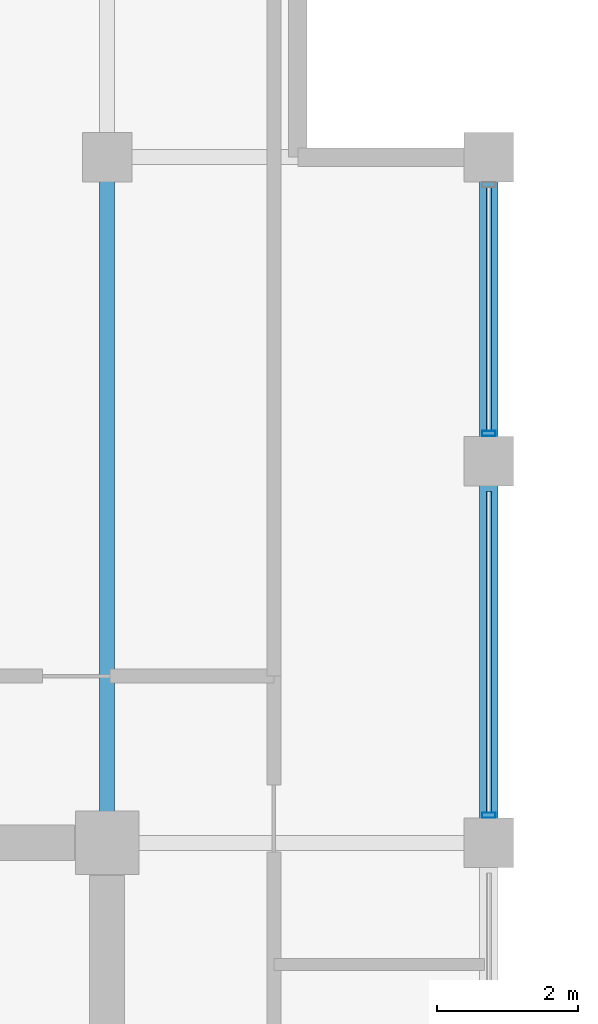
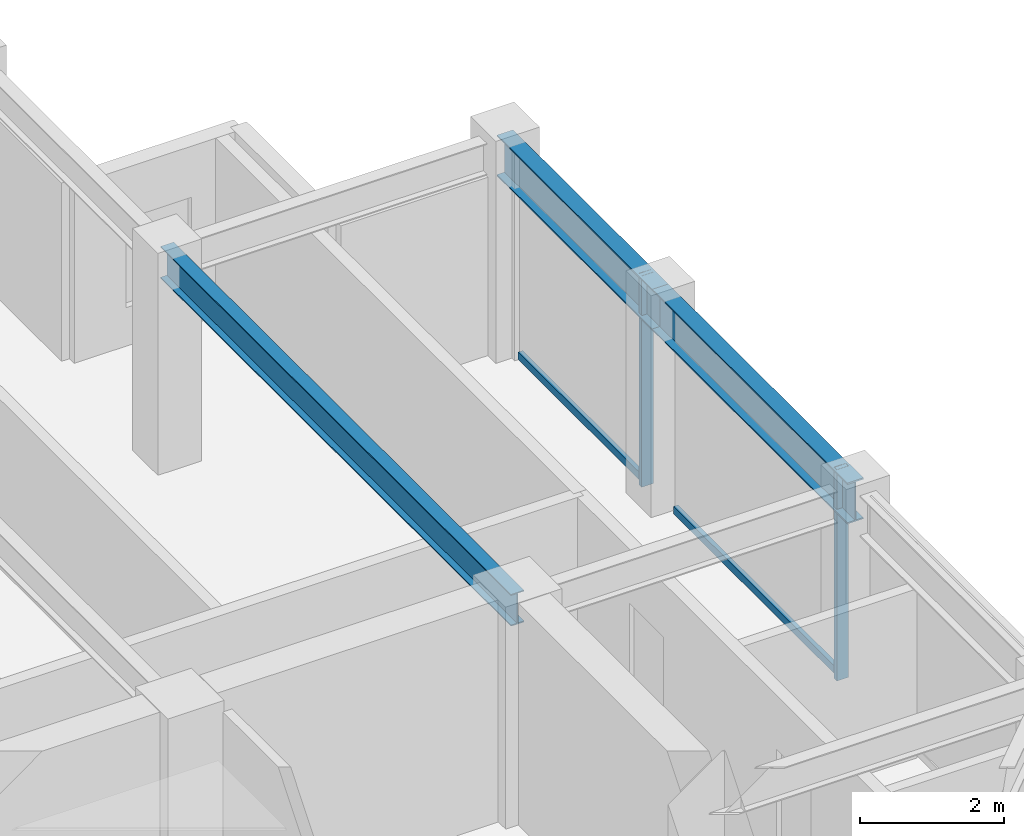
# One storey, part 18 of 29: 4 members, 3 beams, 1 element without a shape of its own.
"""IFC4 building model written with IfcOpenShell, lengths in metres."""

from ifc_helpers import new_model, si_unit, direction, frame, origin, origin_2d, place, context, subcontext, project, spatial, hollow_rectangle, i_section, extrude, material, layer, layer_set, material_profile, profile_set, type_object, element, aggregate, save


model = new_model("IFC4")

# Units and contexts
model_context = context("Model", 3, precision=1e-05, world=origin(), true_north=direction((0.0, 1.0)))
body_context = subcontext(model_context, "Body", "Model", "MODEL_VIEW")
ifc_project = project(units=[si_unit("LENGTHUNIT", "METRE"), si_unit("AREAUNIT", "SQUARE_METRE"), si_unit("VOLUMEUNIT", "CUBIC_METRE"), si_unit("PLANEANGLEUNIT", "RADIAN"), si_unit("MASSUNIT", "GRAM", prefix="KILO")], contexts=[model_context])

# Site, building, storey
site_placement = place(None, origin())
site = spatial("IfcSite", under=ifc_project, at=site_placement, CompositionType="ELEMENT")
building_placement = place(site_placement, origin())
building = spatial("IfcBuilding", under=site, at=building_placement, Name="Surkhivell Harbour Commons", CompositionType="ELEMENT")
storey_placement = place(building_placement, frame((0.0, 0.0, 326.25)))
storey = spatial("IfcBuildingStorey", under=building, at=storey_placement, Name="L85", CompositionType="ELEMENT", Elevation=326.25)

# Beams
ifc_material_1 = material(Name="Steel S355", Category="steel")
ifc_material_profile_1 = material_profile(ifc_material_1, i_section(OverallWidth=0.2099609375, OverallDepth=0.537109375, WebThickness=0.0107421875, FlangeThickness=0.017333984375, at=origin_2d()), Name="UB533x210x101")
ifc_profile_set_1 = profile_set([ifc_material_profile_1], Name="Steel S355")
beam_type_1 = type_object("IfcBeamType", Name="BM-GRD-533B", PredefinedType="BEAM", material=ifc_profile_set_1)
beam_1_placement = place(storey_placement, frame((10.800048828125, 10.800048828125, 3.301513671875), z_axis=(0.0, 1.0, 0.0), x_axis=(-1.0, 0.0, 0.0)))
element("IfcBeam", 1, at=beam_1_placement, inside=storey, type_object=beam_type_1, Name="L85 Floor Girder (10.8,10.8)", PredefinedType="BEAM", context=body_context, shape_type="SweptSolid", body=[
    extrude(i_section(OverallWidth=0.2099609375, OverallDepth=0.537109375, WebThickness=0.0107421875, FlangeThickness=0.017333984375, at=origin_2d()), origin(), (0.0, 0.0, 1.0), 9.699951171875),
])
ifc_material_profile_2 = material_profile(ifc_material_1, i_section(OverallWidth=0.256103515625, OverallDepth=0.693115234375, WebThickness=0.014404296875, FlangeThickness=0.023681640625, at=origin_2d()), Name="UB686x254x170")
ifc_profile_set_2 = profile_set([ifc_material_profile_2], Name="Steel S355")
beam_type_2 = type_object("IfcBeamType", Name="BM-SPN-686", PredefinedType="SPANDREL", material=ifc_profile_set_2)
beam_2_placement = place(storey_placement, frame((16.199951171875, 10.800048828125, 3.223388671875), z_axis=(0.0, 1.0, 0.0), x_axis=(-1.0, 0.0, 0.0)))
element("IfcBeam", 2, at=beam_2_placement, inside=storey, type_object=beam_type_2, Name="L85 Tube Spandrel (16.2,10.8)", PredefinedType="SPANDREL", context=body_context, shape_type="SweptSolid", body=[
    extrude(i_section(OverallWidth=0.256103515625, OverallDepth=0.693115234375, WebThickness=0.014404296875, FlangeThickness=0.023681640625, at=origin_2d()), origin(), (0.0, 0.0, 1.0), 5.39990234375),
])
beam_3_placement = place(storey_placement, frame((16.199951171875, 16.199951171875, 3.223388671875), z_axis=(0.0, 1.0, 0.0), x_axis=(-1.0, 0.0, 0.0)))
element("IfcBeam", 3, at=beam_3_placement, inside=storey, type_object=beam_type_2, Name="L85 Tube Spandrel (16.2,16.2)", PredefinedType="SPANDREL", context=body_context, shape_type="SweptSolid", body=[
    extrude(i_section(OverallWidth=0.256103515625, OverallDepth=0.693115234375, WebThickness=0.014404296875, FlangeThickness=0.023681640625, at=origin_2d()), origin(), (0.0, 0.0, 1.0), 4.300048828125),
])

# Curtain wall, members
ifc_material_2 = material(Name="Anodised pale-metal aluminium and insulated glazing", Category="aluminium")
ifc_layer = layer(ifc_material_2, 0.175048828125)
ifc_layer_set = layer_set([ifc_layer], Name="Anodised pale-metal aluminium and insulated glazing")
curtain_wall_type = type_object("IfcCurtainWallType", Name="CW-SYS-Z4", PredefinedType="NOTDEFINED", material=ifc_layer_set)
curtain_wall_placement = place(storey_placement, origin())
curtain_wall = element("IfcCurtainWall", 4, at=curtain_wall_placement, inside=storey, type_object=curtain_wall_type, Name="L85 Curtain Wall CW-L85-E02", PredefinedType="NOTDEFINED")
ifc_material_3 = material(Name="Anodised pale-metal aluminium alloy 6063-T6", Category="aluminium")
ifc_material_profile_3 = material_profile(ifc_material_3, hollow_rectangle(XDim=0.074951171875, YDim=0.18994140625, WallThickness=0.00390625, at=origin_2d()), Name="ALU-MULL-75x190")
ifc_profile_set_3 = profile_set([ifc_material_profile_3], Name="Anodised pale-metal aluminium alloy 6063-T6")
member_type_1 = type_object("IfcMemberType", Name="CWM-190", PredefinedType="MULLION", material=ifc_profile_set_3)
member_1_placement = place(storey_placement, frame((16.199951171875, 11.189453125, 0.0), z_axis=(0.0, 0.0, 1.0), x_axis=(0.0, 1.0, 0.0)))
member_1 = element("IfcMember", 5, at=member_1_placement, type_object=member_type_1, Name="CW-Z4 mullion 4", PredefinedType="MULLION", context=body_context, shape_type="SweptSolid", body=[
    extrude(hollow_rectangle(XDim=0.074951171875, YDim=0.18994140625, WallThickness=0.00390625, at=origin_2d()), origin(), (0.0, 0.0, 1.0), 3.570068359375),
])
member_2_placement = place(storey_placement, frame((16.199951171875, 16.589599609375, 0.0), z_axis=(0.0, 0.0, 1.0), x_axis=(0.0, 1.0, 0.0)))
member_2 = element("IfcMember", 6, at=member_2_placement, type_object=member_type_1, Name="CW-Z4 mullion 5", PredefinedType="MULLION", context=body_context, shape_type="SweptSolid", body=[
    extrude(hollow_rectangle(XDim=0.074951171875, YDim=0.18994140625, WallThickness=0.00390625, at=origin_2d()), origin(), (0.0, 0.0, 1.0), 3.570068359375),
])
ifc_material_4 = material(Name="Champagne anodised aluminium alloy 6063-T6", Category="aluminium")
ifc_material_profile_4 = material_profile(ifc_material_4, hollow_rectangle(XDim=0.070068359375, YDim=0.1298828125, WallThickness=0.00341796875, at=origin_2d()), Name="ALU-TRAN-70x130")
ifc_profile_set_4 = profile_set([ifc_material_profile_4], Name="Champagne anodised aluminium alloy 6063-T6")
member_type_2 = type_object("IfcMemberType", Name="CWT-130", PredefinedType="USERDEFINED", material=ifc_profile_set_4)
member_3_placement = place(storey_placement, frame((16.199951171875, 11.22705078125, 0.06494140625), z_axis=(0.0, 1.0, 0.0), x_axis=(-1.0, 0.0, 0.0)))
member_3 = element("IfcMember", 7, at=member_3_placement, type_object=member_type_2, Name="CW-Z4 transom 4.1", ObjectType="TRANSOM", PredefinedType="USERDEFINED", context=body_context, shape_type="SweptSolid", body=[
    extrude(hollow_rectangle(XDim=0.070068359375, YDim=0.1298828125, WallThickness=0.00341796875, at=origin_2d()), origin(), (0.0, 0.0, 1.0), 4.5458984375),
])
member_4_placement = place(storey_placement, frame((16.199951171875, 16.626953125, 0.06494140625), z_axis=(0.0, 1.0, 0.0), x_axis=(-1.0, 0.0, 0.0)))
member_4 = element("IfcMember", 8, at=member_4_placement, type_object=member_type_2, Name="CW-Z4 transom 5.1", ObjectType="TRANSOM", PredefinedType="USERDEFINED", context=body_context, shape_type="SweptSolid", body=[
    extrude(hollow_rectangle(XDim=0.070068359375, YDim=0.1298828125, WallThickness=0.00341796875, at=origin_2d()), origin(), (0.0, 0.0, 1.0), 3.446044921875),
])
aggregate(curtain_wall, [member_1, member_3, member_2, member_4])

save(model, "model.ifc")
